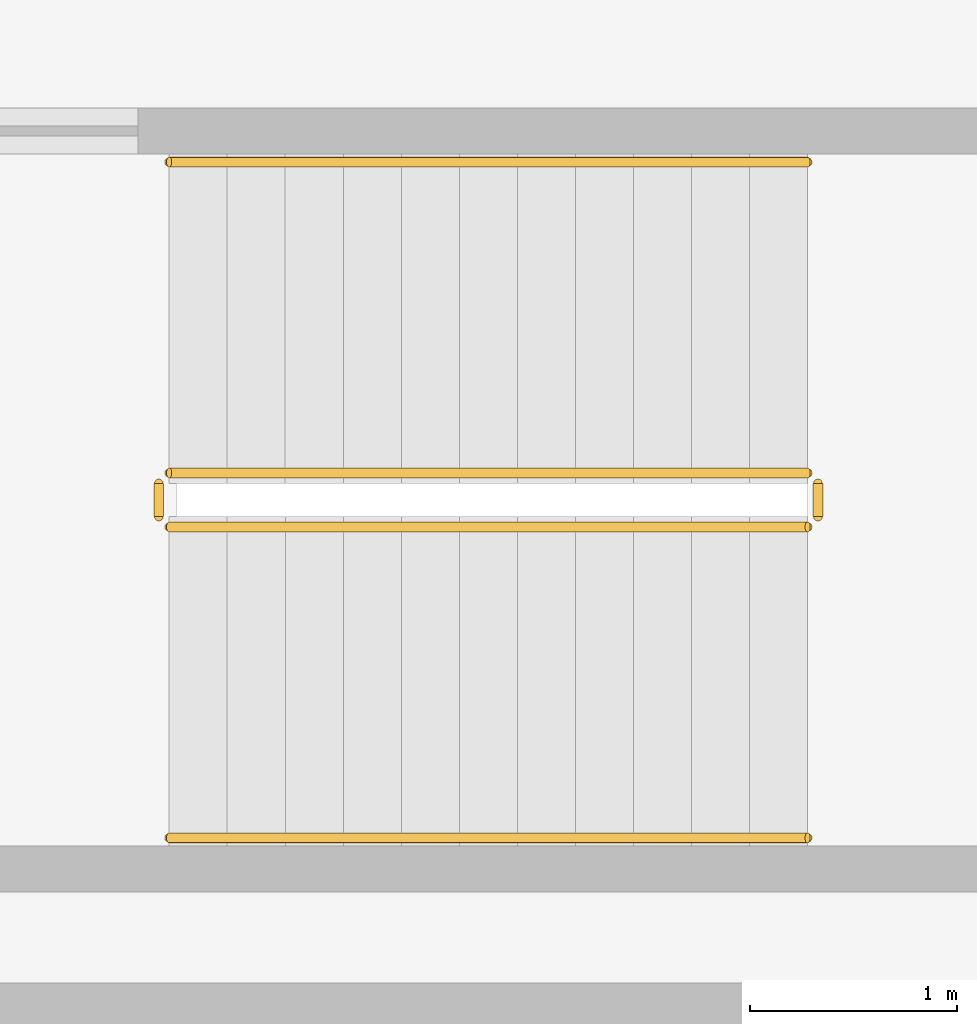
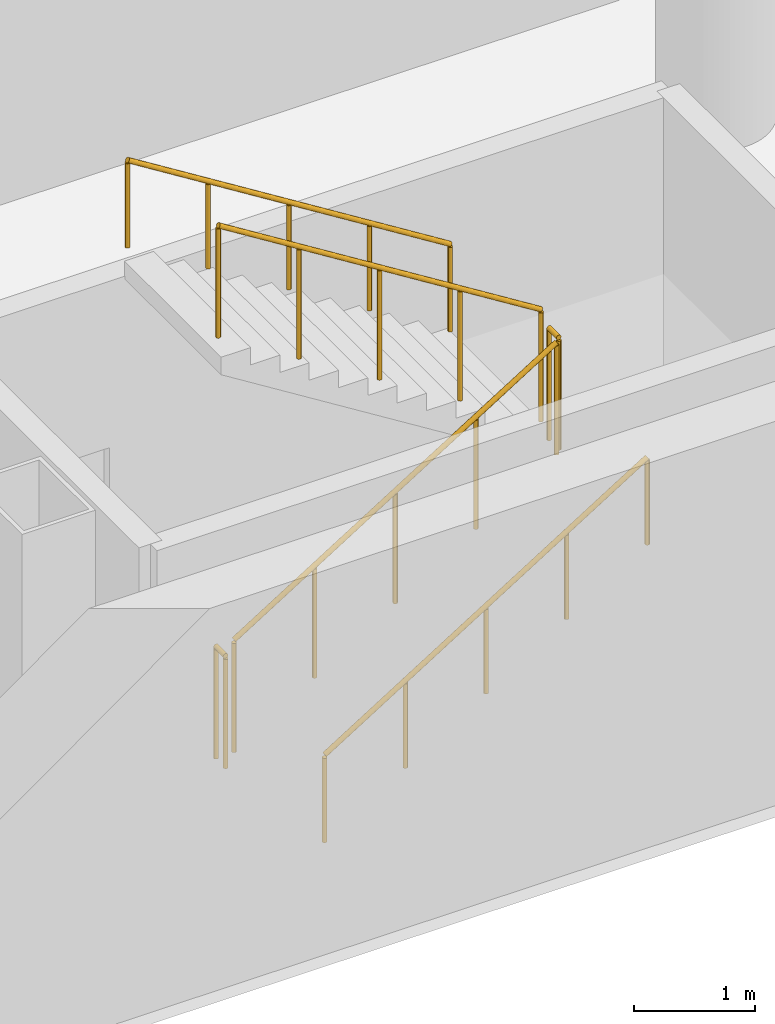
# One storey, part 11 of 16: 6 railings.
"""IFC4 building model written with IfcOpenShell, lengths in metres."""

from ifc_helpers import new_model, si_unit, direction, frame, origin, origin_2d, place, context, subcontext, project, spatial, circle, extrude, material, type_object, element, save


model = new_model("IFC4")

# Units and contexts
model_context = context("Model", 3, precision=1e-05, world=origin(), true_north=direction((0.0, 1.0)))
body_context = subcontext(model_context, "Body", "Model", "MODEL_VIEW")
ifc_project = project(units=[si_unit("LENGTHUNIT", "METRE"), si_unit("AREAUNIT", "SQUARE_METRE"), si_unit("VOLUMEUNIT", "CUBIC_METRE"), si_unit("PLANEANGLEUNIT", "RADIAN"), si_unit("MASSUNIT", "GRAM", prefix="KILO")], contexts=[model_context])

# Site, building, storey
site_placement = place(None, origin())
site = spatial("IfcSite", under=ifc_project, at=site_placement, CompositionType="ELEMENT")
building_placement = place(site_placement, origin())
building = spatial("IfcBuilding", under=site, at=building_placement, Name="Kolveth Station Tower", CompositionType="ELEMENT")
storey_placement = place(building_placement, frame((0.0, 0.0, -4.199951171875)))
storey = spatial("IfcBuildingStorey", under=building, at=storey_placement, Name="B1", CompositionType="ELEMENT", Elevation=-4.199951171875)

# Railings
ifc_material_1 = material(Name="Painted Steel S355 balustrade", Category="steel")
railing_type_1 = type_object("IfcRailingType", Name="Guard_GR2", PredefinedType="BALUSTRADE", material=ifc_material_1)
railing_1_placement = place(storey_placement, frame((4.85009765625, -8.64990234375, 0.175048828125)))
element("IfcRailing", 1, at=railing_1_placement, inside=storey, type_object=railing_type_1, Name="B1 ST5 stair guard 1", PredefinedType="BALUSTRADE", context=body_context, shape_type="SweptSolid", body=[
    extrude(circle(Radius=0.02392578125, at=origin_2d()), frame((0.0, 0.0, 1.1259765625), z_axis=(0.848009633417, 0.0, 0.529980812513), x_axis=(0.0, 1.0, 0.0)), (0.0, 0.0, 1.0), 3.6318359375),
    extrude(circle(Radius=0.02099609375, at=origin_2d()), origin(), (0.0, 0.0, 1.0), 1.101806640625),
    extrude(circle(Radius=0.02099609375, at=origin_2d()), frame((0.77001953125, 0.0, 0.481201171875)), (0.0, 0.0, 1.0), 1.101806640625),
    extrude(circle(Radius=0.02099609375, at=origin_2d()), frame((1.5400390625, 0.0, 0.96240234375)), (0.0, 0.0, 1.0), 1.101806640625),
    extrude(circle(Radius=0.02099609375, at=origin_2d()), frame((2.309814453125, 0.0, 1.443603515625)), (0.0, 0.0, 1.0), 1.101806640625),
    extrude(circle(Radius=0.02099609375, at=origin_2d()), frame((3.079833984375, 0.0, 1.9248046875)), (0.0, 0.0, 1.0), 1.101806640625),
])
railing_2_placement = place(storey_placement, frame((7.97998046875, -8.60009765625, 2.099853515625)))
element("IfcRailing", 2, at=railing_2_placement, inside=storey, type_object=railing_type_1, Name="B1 ST5 stair guard 2", PredefinedType="BALUSTRADE", context=body_context, shape_type="SweptSolid", body=[
    extrude(circle(Radius=0.02392578125, at=origin_2d()), frame((0.0, 0.0, 1.1259765625), z_axis=(0.0, 1.0, 0.0), x_axis=(-1.0, 0.0, 0.0)), (0.0, 0.0, 1.0), 0.16015625),
    extrude(circle(Radius=0.02099609375, at=origin_2d()), origin(), (0.0, 0.0, 1.0), 1.101806640625),
    extrude(circle(Radius=0.02099609375, at=origin_2d()), frame((0.0, 0.16015625, 0.0)), (0.0, 0.0, 1.0), 1.101806640625),
])
railing_3_placement = place(storey_placement, frame((7.929931640625, -8.389892578125, 2.27490234375)))
element("IfcRailing", 3, at=railing_3_placement, inside=storey, type_object=railing_type_1, Name="B1 ST5 stair guard 3", PredefinedType="BALUSTRADE", context=body_context, shape_type="SweptSolid", body=[
    extrude(circle(Radius=0.02392578125, at=origin_2d()), frame((0.0, 0.0, 1.1259765625), z_axis=(-0.847979421464, 0.0, 0.530029150871), x_axis=(0.0, -1.0, 0.0)), (0.0, 0.0, 1.0), 3.632080078125),
    extrude(circle(Radius=0.02099609375, at=origin_2d()), origin(), (0.0, 0.0, 1.0), 1.101806640625),
    extrude(circle(Radius=0.02099609375, at=origin_2d()), frame((-0.77001953125, 0.0, 0.481201171875)), (0.0, 0.0, 1.0), 1.101806640625),
    extrude(circle(Radius=0.02099609375, at=origin_2d()), frame((-1.5400390625, 0.0, 0.96240234375)), (0.0, 0.0, 1.0), 1.101806640625),
    extrude(circle(Radius=0.02099609375, at=origin_2d()), frame((-2.309814453125, 0.0, 1.44384765625)), (0.0, 0.0, 1.0), 1.101806640625),
    extrude(circle(Radius=0.02099609375, at=origin_2d()), frame((-3.079833984375, 0.0, 1.925048828125)), (0.0, 0.0, 1.0), 1.101806640625),
])
railing_4_placement = place(storey_placement, frame((4.800048828125, -8.60009765625, 0.0)))
element("IfcRailing", 4, at=railing_4_placement, inside=storey, type_object=railing_type_1, Name="B1 ST5 stair guard 4", PredefinedType="BALUSTRADE", context=body_context, shape_type="SweptSolid", body=[
    extrude(circle(Radius=0.02392578125, at=origin_2d()), frame((0.0, 0.0, 1.1259765625), z_axis=(0.0, 1.0, 0.0), x_axis=(-1.0, 0.0, 0.0)), (0.0, 0.0, 1.0), 0.16015625),
    extrude(circle(Radius=0.02099609375, at=origin_2d()), origin(), (0.0, 0.0, 1.0), 1.101806640625),
    extrude(circle(Radius=0.02099609375, at=origin_2d()), frame((0.0, 0.16015625, 0.0)), (0.0, 0.0, 1.0), 1.101806640625),
])
ifc_material_2 = material(Name="Brushed stainless steel", Category="steel")
railing_type_2 = type_object("IfcRailingType", Name="Handrail_HR1", PredefinedType="HANDRAIL", material=ifc_material_2)
railing_5_placement = place(storey_placement, frame((4.85009765625, -10.14990234375, 0.175048828125)))
element("IfcRailing", 5, at=railing_5_placement, inside=storey, type_object=railing_type_2, Name="B1 ST5 stair handrail 1", PredefinedType="HANDRAIL", context=body_context, shape_type="SweptSolid", body=[
    extrude(circle(Radius=0.02392578125, at=origin_2d()), frame((0.0, 0.0, 0.8759765625), z_axis=(0.848009633417, 0.0, 0.529980812513), x_axis=(0.0, 1.0, 0.0)), (0.0, 0.0, 1.0), 3.6318359375),
    extrude(circle(Radius=0.02099609375, at=origin_2d()), origin(), (0.0, 0.0, 1.0), 0.851806640625),
    extrude(circle(Radius=0.02099609375, at=origin_2d()), frame((0.77001953125, 0.0, 0.481201171875)), (0.0, 0.0, 1.0), 0.851806640625),
    extrude(circle(Radius=0.02099609375, at=origin_2d()), frame((1.5400390625, 0.0, 0.96240234375)), (0.0, 0.0, 1.0), 0.851806640625),
    extrude(circle(Radius=0.02099609375, at=origin_2d()), frame((2.309814453125, 0.0, 1.443603515625)), (0.0, 0.0, 1.0), 0.851806640625),
    extrude(circle(Radius=0.02099609375, at=origin_2d()), frame((3.079833984375, 0.0, 1.9248046875)), (0.0, 0.0, 1.0), 0.851806640625),
])
railing_6_placement = place(storey_placement, frame((7.929931640625, -6.889892578125, 2.27490234375)))
element("IfcRailing", 6, at=railing_6_placement, inside=storey, type_object=railing_type_2, Name="B1 ST5 stair handrail 2", PredefinedType="HANDRAIL", context=body_context, shape_type="SweptSolid", body=[
    extrude(circle(Radius=0.02392578125, at=origin_2d()), frame((0.0, 0.0, 0.8759765625), z_axis=(-0.847979421464, 0.0, 0.530029150871), x_axis=(0.0, -1.0, 0.0)), (0.0, 0.0, 1.0), 3.632080078125),
    extrude(circle(Radius=0.02099609375, at=origin_2d()), origin(), (0.0, 0.0, 1.0), 0.851806640625),
    extrude(circle(Radius=0.02099609375, at=origin_2d()), frame((-0.77001953125, 0.0, 0.481201171875)), (0.0, 0.0, 1.0), 0.851806640625),
    extrude(circle(Radius=0.02099609375, at=origin_2d()), frame((-1.5400390625, 0.0, 0.96240234375)), (0.0, 0.0, 1.0), 0.851806640625),
    extrude(circle(Radius=0.02099609375, at=origin_2d()), frame((-2.309814453125, 0.0, 1.44384765625)), (0.0, 0.0, 1.0), 0.851806640625),
    extrude(circle(Radius=0.02099609375, at=origin_2d()), frame((-3.079833984375, 0.0, 1.925048828125)), (0.0, 0.0, 1.0), 0.851806640625),
])

save(model, "model.ifc")
